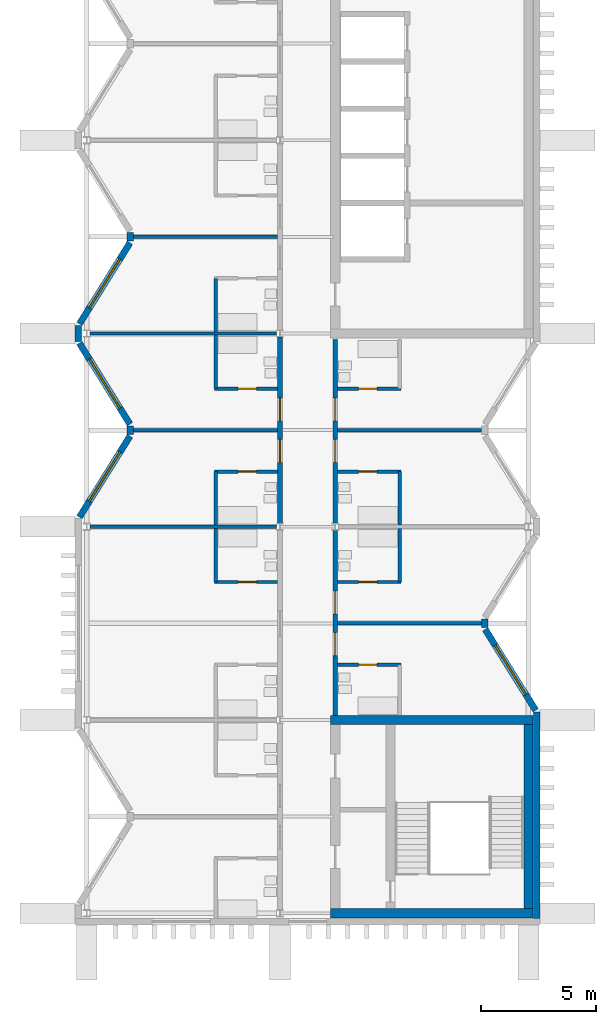
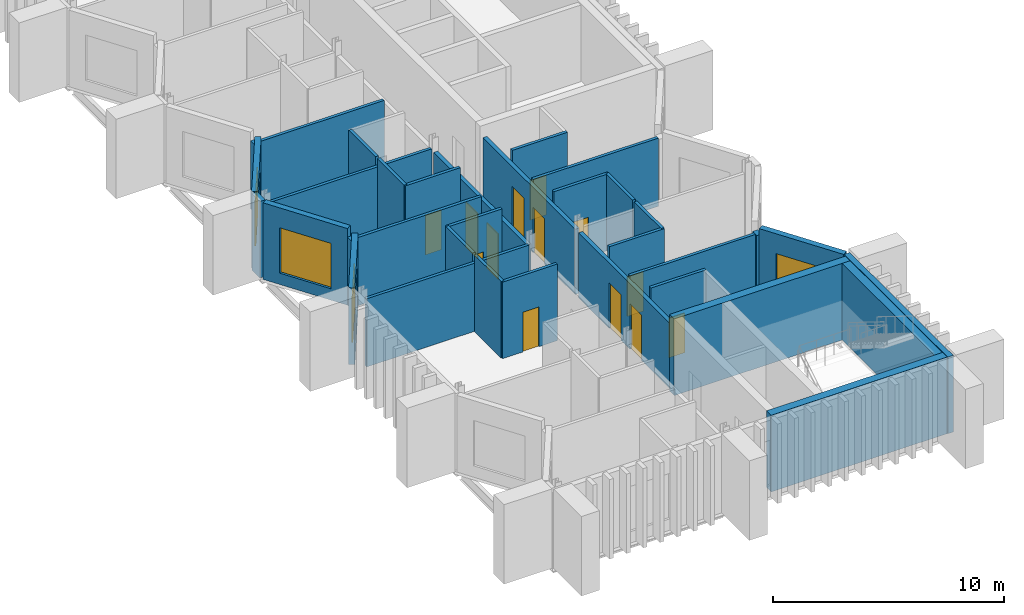
# One storey, part 5 of 10: 34 walls, 13 doors, 4 windows, 17 openings.
"""IFC4 building model written with IfcOpenShell, lengths in metres."""

import ifcopenshell
import ifcopenshell.guid

model = None  # the IFC model being written
_history = None  # IfcOwnerHistory: only IFC2X3 demands one
_inside = {}  # id of a spatial element -> (the spatial element, [elements in it])
_under = {}  # id of a project, library or spatial element -> (it, [spatial elements below it])
_declared = {}  # id of a project -> (the project, [libraries it declares])
_typed = {}  # id of a type object -> (the type object, [elements of that type])
_made_of = {}  # id of a material, layer set ... -> (it, [elements and type objects made of it])


def new_model(schema):
    """Start an empty IFC model of exactly this schema.

    Asked for "IFC4X3", IfcOpenShell would pick the latest addendum, in which some entities
    have other attributes; the version numbers below select the first issue.
    IFC2X3 requires an IfcOwnerHistory on every rooted entity: one is made here for all.
    """
    global model, _history
    if schema == "IFC4X3":
        model = ifcopenshell.file(schema_version=(4, 3, 0, 0))
    else:
        model = ifcopenshell.file(schema=schema)
    _inside.clear()
    _under.clear()
    _declared.clear()
    _typed.clear()
    _made_of.clear()
    _history = None
    if model.schema == "IFC2X3":
        org = make("IfcOrganization", Name="unknown")
        user = make(
            "IfcPersonAndOrganization",
            ThePerson=make("IfcPerson", FamilyName="unknown"),
            TheOrganization=org,
        )
        app = make(
            "IfcApplication",
            ApplicationDeveloper=org,
            Version="unknown",
            ApplicationFullName="unknown",
            ApplicationIdentifier="unknown",
        )
        _history = make(
            "IfcOwnerHistory",
            OwningUser=user,
            OwningApplication=app,
            ChangeAction="ADDED",
            CreationDate=0,
        )
    return model


def make(cls, **values):
    """One entity of the class cls with the attributes given. An attribute that is None is left unset."""
    return model.create_entity(
        cls, **{name: value for name, value in values.items() if value is not None}
    )


def rooted(cls, **values):
    """An entity with a GlobalId (a new one), such as an element, a storey or a relation."""
    return make(cls, GlobalId=ifcopenshell.guid.new(), OwnerHistory=_history, **values)


def si_unit(unit_type, name, prefix=None):
    """IfcSIUnit, for example si_unit("LENGTHUNIT", "METRE", prefix="MILLI")."""
    return make("IfcSIUnit", UnitType=unit_type, Prefix=prefix, Name=name)


def assignment(units):
    """IfcUnitAssignment: the units of a project."""
    return None if units is None else make("IfcUnitAssignment", Units=units)


def point(xyz):
    """IfcCartesianPoint."""
    return None if xyz is None else make("IfcCartesianPoint", Coordinates=xyz)


def direction(xyz):
    """IfcDirection."""
    return None if xyz is None else make("IfcDirection", DirectionRatios=xyz)


def frame(location, z_axis=None, x_axis=None):
    """IfcAxis2Placement3D, a coordinate frame: its origin and axes. An axis left out is left unset."""
    return make(
        "IfcAxis2Placement3D",
        Location=point(location),
        Axis=direction(z_axis),
        RefDirection=direction(x_axis),
    )


def frame_2d(location, x_axis=None):
    """IfcAxis2Placement2D, a coordinate frame in the plane: its origin and x axis."""
    return make(
        "IfcAxis2Placement2D", Location=point(location), RefDirection=direction(x_axis)
    )


def origin():
    """The frame at (0, 0, 0) with its axes left unset."""
    return frame((0.0, 0.0, 0.0))


def place(relative_to, where):
    """IfcLocalPlacement: puts the frame where relative to a parent placement (None: the world)."""
    return make(
        "IfcLocalPlacement", PlacementRelTo=relative_to, RelativePlacement=where
    )


def context(
    kind, dimensions, precision=None, world=None, true_north=None, identifier=None
):
    """IfcGeometricRepresentationContext, for example the 3D "Model" context."""
    return make(
        "IfcGeometricRepresentationContext",
        ContextIdentifier=identifier,
        ContextType=kind,
        CoordinateSpaceDimension=dimensions,
        Precision=precision,
        WorldCoordinateSystem=world,
        TrueNorth=true_north,
    )


def subcontext(parent, identifier, kind, view, scale=None):
    """IfcGeometricRepresentationSubContext, for example "Body" below "Model"."""
    return make(
        "IfcGeometricRepresentationSubContext",
        ContextIdentifier=identifier,
        ContextType=kind,
        ParentContext=parent,
        TargetScale=scale,
        TargetView=view,
    )


def project(units=None, contexts=None):
    """IfcProject with its units and contexts."""
    return rooted(
        "IfcProject",
        Name="project",
        RepresentationContexts=contexts,
        UnitsInContext=assignment(units),
    )


def spatial(cls, under=None, at=None, **own):
    """A site, building, storey or space (cls), placed at a placement, below another one or the project."""
    s = rooted(cls, ObjectPlacement=at, **own)
    if under is not None:
        _under.setdefault(under.id(), (under, []))[1].append(s)
    return s


def profile(cls, at=None, kind="AREA", **sizes):
    """A parametric profile (cls). Its sizes go by their IFC names, for example OverallWidth=200.0."""
    return make(cls, ProfileType=kind, Position=at, **sizes)


def rectangle(**sizes):
    """IfcRectangleProfileDef."""
    return profile("IfcRectangleProfileDef", **sizes)


def extrude(swept, where, along, depth):
    """IfcExtrudedAreaSolid: the profile swept, set in the frame where, extruded along a direction by depth."""
    return make(
        "IfcExtrudedAreaSolid",
        SweptArea=swept,
        Position=where,
        ExtrudedDirection=direction(along),
        Depth=depth,
    )


def shape(context_of_items, identifier, shape_type, items):
    """IfcShapeRepresentation: the items that make up one representation, for example the "Body"."""
    return make(
        "IfcShapeRepresentation",
        ContextOfItems=context_of_items,
        RepresentationIdentifier=identifier,
        RepresentationType=shape_type,
        Items=items,
    )


def material(Name=None, Category=None):
    """IfcMaterial."""
    return make("IfcMaterial", Name=Name, Category=Category)


def layer(
    of_material, thickness, ventilated=None, Name=None, Category=None, Priority=None
):
    """IfcMaterialLayer: one layer of a wall or slab, of a material (None: an air gap)."""
    return make(
        "IfcMaterialLayer",
        Material=of_material,
        LayerThickness=thickness,
        IsVentilated=ventilated,
        Name=Name,
        Category=Category,
        Priority=Priority,
    )


def layer_set(layers, Name=None):
    """IfcMaterialLayerSet."""
    return make("IfcMaterialLayerSet", MaterialLayers=layers, LayerSetName=Name)


def made_of(thing, what):
    """Note that an element or type object is made of a material, layer set ...; save() writes the relation."""
    if what is not None:
        _made_of.setdefault(what.id(), (what, []))[1].append(thing)
    return thing


def type_object(cls, material=None, **own):
    """A type object (cls), such as IfcWallType, which elements share."""
    return made_of(rooted(cls, **own), material)


def element(
    cls,
    number,
    at=None,
    inside=None,
    cuts=None,
    type_object=None,
    material=None,
    context=None,
    identifier="Body",
    shape_type=None,
    held_by="IfcProductDefinitionShape",
    body=None,
    shapes=None,
    **own,
):
    """One element of the class cls, such as IfcWall. Its Tag is "e" and its number.

    at: its placement. inside: the storey or other place that contains it. cuts: it is an
    opening in that element (IfcRelVoidsElement). A single representation is given by context,
    identifier, shape_type and body (its items); several are given by shapes. held_by: the class
    of the entity that holds the representations. save() writes the other relations.
    """
    e = rooted(cls, Tag="e%d" % number, ObjectPlacement=at, **own)
    if body is not None:
        shapes = [shape(context, identifier, shape_type, body)]
    if shapes is not None:
        e.Representation = make(held_by, Representations=shapes)
    if inside is not None:
        _inside.setdefault(inside.id(), (inside, []))[1].append(e)
    if cuts is not None:
        rooted(
            "IfcRelVoidsElement", RelatingBuildingElement=cuts, RelatedOpeningElement=e
        )
    if type_object is not None:
        _typed.setdefault(type_object.id(), (type_object, []))[1].append(e)
    return made_of(e, material)


def fill(opening, filler):
    """IfcRelFillsElement: the door or window that sits in an opening."""
    return rooted(
        "IfcRelFillsElement",
        RelatingOpeningElement=opening,
        RelatedBuildingElement=filler,
    )


def aggregate(whole, parts):
    """IfcRelAggregates: a whole, such as a stair, and the parts it consists of."""
    return rooted("IfcRelAggregates", RelatingObject=whole, RelatedObjects=parts)


def save(model, path):
    """Write the relations noted so far, then the file.

    IfcRelAggregates (storeys below a building ...), IfcRelContainedInSpatialStructure (elements
    in a storey), IfcRelDefinesByType, IfcRelAssociatesMaterial and IfcRelDeclares: one each for
    every whole, place, type object, material and project.
    """
    for whole, parts in _under.values():
        aggregate(whole, parts)
    for where, things in _inside.values():
        rooted(
            "IfcRelContainedInSpatialStructure",
            RelatedElements=things,
            RelatingStructure=where,
        )
    for kind, things in _typed.values():
        rooted("IfcRelDefinesByType", RelatedObjects=things, RelatingType=kind)
    for what, things in _made_of.values():
        rooted("IfcRelAssociatesMaterial", RelatedObjects=things, RelatingMaterial=what)
    for by, libraries in _declared.values():
        rooted("IfcRelDeclares", RelatingContext=by, RelatedDefinitions=libraries)
    model.write(path)


model = new_model("IFC4")

# Units and contexts
model_context = context("Model", 3, precision=1e-05, world=origin(), true_north=direction((0.0, 1.0)))
body_context = subcontext(model_context, "Body", "Model", "MODEL_VIEW")
ifc_project = project(units=[si_unit("LENGTHUNIT", "METRE"), si_unit("AREAUNIT", "SQUARE_METRE"), si_unit("VOLUMEUNIT", "CUBIC_METRE"), si_unit("PLANEANGLEUNIT", "RADIAN"), si_unit("MASSUNIT", "GRAM", prefix="KILO")], contexts=[model_context])

# Site, building, storey
site_placement = place(None, origin())
site = spatial("IfcSite", under=ifc_project, at=site_placement, CompositionType="ELEMENT")
building_placement = place(site_placement, origin())
building = spatial("IfcBuilding", under=site, at=building_placement, Name="Cresset Court Congress Hotel", CompositionType="ELEMENT")
storey_placement = place(building_placement, frame((0.0, 0.0, 56.39990234375)))
storey = spatial("IfcBuildingStorey", under=building, at=storey_placement, Name="L13", CompositionType="ELEMENT", Elevation=56.39990234375)

# Wall, openings, doors
ifc_material_1 = material(Name="Gypsum board partition")
ifc_layer_1 = layer(ifc_material_1, 0.199951171875)
ifc_layer_set_1 = layer_set([ifc_layer_1], Name="Corridor wall 200")
wall_type_1 = type_object("IfcWallType", Name="Corridor wall 200", PredefinedType="PARTITIONING", material=ifc_layer_set_1)
wall_1_placement = place(storey_placement, frame((165.60009765625, 16.949951171875, 0.0), z_axis=(0.0, 0.0, 1.0), x_axis=(0.0, 1.0, 0.0)))
wall_1 = element("IfcWall", 1, at=wall_1_placement, inside=storey, type_object=wall_type_1, Name="A.wl.L13.066", PredefinedType="PARTITIONING", context=body_context, shape_type="SweptSolid", body=[
    extrude(rectangle(XDim=8.10009765625, YDim=0.199951171875, at=frame_2d((4.050048828125, 0.0))), origin(), (0.0, 0.0, 1.0), 3.4501953125),
])
opening_1_placement = place(wall_1_placement, frame((2.64990234375, 0.0, 0.0)))
opening_1 = element("IfcOpeningElement", 2, at=opening_1_placement, cuts=wall_1, Name="Opening DA-13-09", PredefinedType="OPENING", context=body_context, shape_type="SweptSolid", body=[
    extrude(rectangle(XDim=1.0, YDim=2.39990234375, at=frame_2d((0.5, 1.199951171875))), frame((0.0, 0.10986328125, 0.0), z_axis=(0.0, -1.0, 0.0), x_axis=(1.0, 0.0, 0.0)), (0.0, 0.0, 1.0), 0.219970703125),
])
opening_2_placement = place(wall_1_placement, frame((4.449951171875, 0.0, 0.0)))
opening_2 = element("IfcOpeningElement", 3, at=opening_2_placement, cuts=wall_1, Name="Opening DA-13-11", PredefinedType="OPENING", context=body_context, shape_type="SweptSolid", body=[
    extrude(rectangle(XDim=1.0, YDim=2.39990234375, at=frame_2d((0.5, 1.199951171875))), frame((0.0, 0.10986328125, 0.0), z_axis=(0.0, -1.0, 0.0), x_axis=(1.0, 0.0, 0.0)), (0.0, 0.0, 1.0), 0.219970703125),
])
ifc_material_2 = material(Name="timber", Category="wood")
door_type_1 = type_object("IfcDoorType", Name="Guest-room entry door 1000x2400 FD30S", OperationType="SINGLE_SWING_LEFT", PredefinedType="DOOR", material=ifc_material_2)
door_1_placement = place(opening_1_placement, origin())
door_1 = element("IfcDoor", 4, at=door_1_placement, inside=storey, type_object=door_type_1, Name="Door DA-13-09", OperationType="SINGLE_SWING_RIGHT", OverallHeight=2.39990234375, OverallWidth=1.0, PredefinedType="DOOR", context=body_context, shape_type="SweptSolid", body=[
    extrude(rectangle(XDim=1.0, YDim=2.39990234375, at=frame_2d((0.5, 1.199951171875))), frame((0.0, 0.02490234375, 0.0), z_axis=(0.0, -1.0, 0.0), x_axis=(1.0, 0.0, 0.0)), (0.0, 0.0, 1.0), 0.050048828125),
])
fill(opening_1, door_1)
door_2_placement = place(opening_2_placement, origin())
door_2 = element("IfcDoor", 5, at=door_2_placement, inside=storey, type_object=door_type_1, Name="Door DA-13-11", OperationType="SINGLE_SWING_LEFT", OverallHeight=2.39990234375, OverallWidth=1.0, PredefinedType="DOOR", context=body_context, shape_type="SweptSolid", body=[
    extrude(rectangle(XDim=1.0, YDim=2.39990234375, at=frame_2d((0.5, 1.199951171875))), frame((0.0, 0.02490234375, 0.0), z_axis=(0.0, -1.0, 0.0), x_axis=(1.0, 0.0, 0.0)), (0.0, 0.0, 1.0), 0.050048828125),
])
fill(opening_2, door_2)

wall_2_placement = place(storey_placement, frame((168.0, 8.60009765625, 0.0), z_axis=(0.0, 0.0, 1.0), x_axis=(0.0, 1.0, 0.0)))
wall_2 = element("IfcWall", 6, at=wall_2_placement, inside=storey, type_object=wall_type_1, Name="A.wl.L13.072", PredefinedType="PARTITIONING", context=body_context, shape_type="SweptSolid", body=[
    extrude(rectangle(XDim=8.0498046875, YDim=0.199951171875, at=frame_2d((4.02490234375, 0.0))), origin(), (0.0, 0.0, 1.0), 3.4501953125),
])
opening_3_placement = place(wall_2_placement, frame((2.60009765625, 0.0, 0.0)))
opening_3 = element("IfcOpeningElement", 7, at=opening_3_placement, cuts=wall_2, Name="Opening DA-13-30", PredefinedType="OPENING", context=body_context, shape_type="SweptSolid", body=[
    extrude(rectangle(XDim=1.0, YDim=2.39990234375, at=frame_2d((0.5, 1.199951171875))), frame((0.0, 0.10986328125, 0.0), z_axis=(0.0, -1.0, 0.0), x_axis=(1.0, 0.0, 0.0)), (0.0, 0.0, 1.0), 0.219970703125),
])
opening_4_placement = place(wall_2_placement, frame((4.39990234375, 0.0, 0.0)))
opening_4 = element("IfcOpeningElement", 8, at=opening_4_placement, cuts=wall_2, Name="Opening DA-13-32", PredefinedType="OPENING", context=body_context, shape_type="SweptSolid", body=[
    extrude(rectangle(XDim=1.0, YDim=2.39990234375, at=frame_2d((0.5, 1.199951171875))), frame((0.0, 0.10986328125, 0.0), z_axis=(0.0, -1.0, 0.0), x_axis=(1.0, 0.0, 0.0)), (0.0, 0.0, 1.0), 0.219970703125),
])
door_3_placement = place(opening_3_placement, origin())
door_3 = element("IfcDoor", 9, at=door_3_placement, inside=storey, type_object=door_type_1, Name="Door DA-13-30", OperationType="SINGLE_SWING_RIGHT", OverallHeight=2.39990234375, OverallWidth=1.0, PredefinedType="DOOR", context=body_context, shape_type="SweptSolid", body=[
    extrude(rectangle(XDim=1.0, YDim=2.39990234375, at=frame_2d((0.5, 1.199951171875))), frame((0.0, 0.02490234375, 0.0), z_axis=(0.0, -1.0, 0.0), x_axis=(1.0, 0.0, 0.0)), (0.0, 0.0, 1.0), 0.050048828125),
])
fill(opening_3, door_3)
door_4_placement = place(opening_4_placement, origin())
door_4 = element("IfcDoor", 10, at=door_4_placement, inside=storey, type_object=door_type_1, Name="Door DA-13-32", OperationType="SINGLE_SWING_LEFT", OverallHeight=2.39990234375, OverallWidth=1.0, PredefinedType="DOOR", context=body_context, shape_type="SweptSolid", body=[
    extrude(rectangle(XDim=1.0, YDim=2.39990234375, at=frame_2d((0.5, 1.199951171875))), frame((0.0, 0.02490234375, 0.0), z_axis=(0.0, -1.0, 0.0), x_axis=(1.0, 0.0, 0.0)), (0.0, 0.0, 1.0), 0.050048828125),
])
fill(opening_4, door_4)

wall_3_placement = place(storey_placement, frame((168.0, 16.949951171875, 0.0), z_axis=(0.0, 0.0, 1.0), x_axis=(0.0, 1.0, 0.0)))
wall_3 = element("IfcWall", 11, at=wall_3_placement, inside=storey, type_object=wall_type_1, Name="A.wl.L13.073", PredefinedType="PARTITIONING", context=body_context, shape_type="SweptSolid", body=[
    extrude(rectangle(XDim=8.0, YDim=0.199951171875, at=frame_2d((4.0, 0.0))), origin(), (0.0, 0.0, 1.0), 3.4501953125),
])
opening_5_placement = place(wall_3_placement, frame((2.64990234375, 0.0, 0.0)))
opening_5 = element("IfcOpeningElement", 12, at=opening_5_placement, cuts=wall_3, Name="Opening DA-13-34", PredefinedType="OPENING", context=body_context, shape_type="SweptSolid", body=[
    extrude(rectangle(XDim=1.0, YDim=2.39990234375, at=frame_2d((0.5, 1.199951171875))), frame((0.0, 0.10986328125, 0.0), z_axis=(0.0, -1.0, 0.0), x_axis=(1.0, 0.0, 0.0)), (0.0, 0.0, 1.0), 0.219970703125),
])
opening_6_placement = place(wall_3_placement, frame((4.449951171875, 0.0, 0.0)))
opening_6 = element("IfcOpeningElement", 13, at=opening_6_placement, cuts=wall_3, Name="Opening DA-13-36", PredefinedType="OPENING", context=body_context, shape_type="SweptSolid", body=[
    extrude(rectangle(XDim=1.0, YDim=2.39990234375, at=frame_2d((0.5, 1.199951171875))), frame((0.0, 0.10986328125, 0.0), z_axis=(0.0, -1.0, 0.0), x_axis=(1.0, 0.0, 0.0)), (0.0, 0.0, 1.0), 0.219970703125),
])
door_5_placement = place(opening_5_placement, origin())
door_5 = element("IfcDoor", 14, at=door_5_placement, inside=storey, type_object=door_type_1, Name="Door DA-13-34", OperationType="SINGLE_SWING_RIGHT", OverallHeight=2.39990234375, OverallWidth=1.0, PredefinedType="DOOR", context=body_context, shape_type="SweptSolid", body=[
    extrude(rectangle(XDim=1.0, YDim=2.39990234375, at=frame_2d((0.5, 1.199951171875))), frame((0.0, 0.02490234375, 0.0), z_axis=(0.0, -1.0, 0.0), x_axis=(1.0, 0.0, 0.0)), (0.0, 0.0, 1.0), 0.050048828125),
])
fill(opening_5, door_5)
door_6_placement = place(opening_6_placement, origin())
door_6 = element("IfcDoor", 15, at=door_6_placement, inside=storey, type_object=door_type_1, Name="Door DA-13-36", OperationType="SINGLE_SWING_LEFT", OverallHeight=2.39990234375, OverallWidth=1.0, PredefinedType="DOOR", context=body_context, shape_type="SweptSolid", body=[
    extrude(rectangle(XDim=1.0, YDim=2.39990234375, at=frame_2d((0.5, 1.199951171875))), frame((0.0, 0.02490234375, 0.0), z_axis=(0.0, -1.0, 0.0), x_axis=(1.0, 0.0, 0.0)), (0.0, 0.0, 1.0), 0.050048828125),
])
fill(opening_6, door_6)

# Wall
ifc_material_3 = material(Name="Gypsum board partition")
ifc_layer_2 = layer(ifc_material_3, 0.14990234375)
ifc_layer_set_2 = layer_set([ifc_layer_2], Name="En-suite wall 150")
wall_type_2 = type_object("IfcWallType", Name="En-suite wall 150", PredefinedType="PARTITIONING", material=ifc_layer_set_2)
wall_4_placement = place(storey_placement, frame((162.800048828125, 14.39990234375, 0.0), z_axis=(0.0, 0.0, 1.0), x_axis=(0.0, 1.0, 0.0)))
element("IfcWall", 16, at=wall_4_placement, inside=storey, type_object=wall_type_2, Name="A.wl.L13.007", PredefinedType="PARTITIONING", context=body_context, shape_type="SweptSolid", body=[
    extrude(rectangle(XDim=2.3251953125, YDim=0.14990234375, at=frame_2d((1.16259765625, 0.0))), origin(), (0.0, 0.0, 1.0), 4.050048828125),
])

# Wall, opening, door
wall_5_placement = place(storey_placement, frame((162.75, 14.39990234375, 0.0), z_axis=(0.0, 0.0, 1.0), x_axis=(1.0, 0.0, 0.0)))
wall_5 = element("IfcWall", 17, at=wall_5_placement, inside=storey, type_object=wall_type_2, Name="A.wl.L13.008", PredefinedType="PARTITIONING", context=body_context, shape_type="SweptSolid", body=[
    extrude(rectangle(XDim=2.75, YDim=0.14990234375, at=frame_2d((1.375, 0.0))), origin(), (0.0, 0.0, 1.0), 4.050048828125),
])
opening_7_placement = place(wall_5_placement, frame((1.030029296875, 0.0, 0.0)))
opening_7 = element("IfcOpeningElement", 18, at=opening_7_placement, cuts=wall_5, Name="Opening DA-13-06", PredefinedType="OPENING", context=body_context, shape_type="SweptSolid", body=[
    extrude(rectangle(XDim=0.800048828125, YDim=2.10009765625, at=frame_2d((0.39990234375, 1.050048828125))), frame((0.0, 0.0849609375, 0.0), z_axis=(0.0, -1.0, 0.0), x_axis=(1.0, 0.0, 0.0)), (0.0, 0.0, 1.0), 0.169921875),
])
ifc_material_4 = material(Name="timber", Category="wood")
door_type_2 = type_object("IfcDoorType", Name="En-suite door 800x2100", OperationType="SINGLE_SWING_LEFT", PredefinedType="DOOR", material=ifc_material_4)
door_7_placement = place(opening_7_placement, origin())
door_7 = element("IfcDoor", 19, at=door_7_placement, inside=storey, type_object=door_type_2, Name="Door DA-13-06", OperationType="SINGLE_SWING_LEFT", OverallHeight=2.10009765625, OverallWidth=0.800048828125, PredefinedType="DOOR", context=body_context, shape_type="SweptSolid", body=[
    extrude(rectangle(XDim=0.800048828125, YDim=2.10009765625, at=frame_2d((0.39990234375, 1.050048828125))), frame((0.0, 0.02490234375, 0.0), z_axis=(0.0, -1.0, 0.0), x_axis=(1.0, 0.0, 0.0)), (0.0, 0.0, 1.0), 0.050048828125),
])
fill(opening_7, door_7)

# Wall
wall_6_placement = place(storey_placement, frame((162.800048828125, 16.875, 0.0), z_axis=(0.0, 0.0, 1.0), x_axis=(0.0, 1.0, 0.0)))
element("IfcWall", 20, at=wall_6_placement, inside=storey, type_object=wall_type_2, Name="A.wl.L13.009", PredefinedType="PARTITIONING", context=body_context, shape_type="SweptSolid", body=[
    extrude(rectangle(XDim=2.324951171875, YDim=0.14990234375, at=frame_2d((1.16259765625, 0.0))), origin(), (0.0, 0.0, 1.0), 4.050048828125),
])

# Wall, opening, door
wall_7_placement = place(storey_placement, frame((162.75, 19.199951171875, 0.0), z_axis=(0.0, 0.0, 1.0), x_axis=(1.0, 0.0, 0.0)))
wall_7 = element("IfcWall", 21, at=wall_7_placement, inside=storey, type_object=wall_type_2, Name="A.wl.L13.010", PredefinedType="PARTITIONING", context=body_context, shape_type="SweptSolid", body=[
    extrude(rectangle(XDim=2.75, YDim=0.14990234375, at=frame_2d((1.375, 0.0))), origin(), (0.0, 0.0, 1.0), 4.050048828125),
])
opening_8_placement = place(wall_7_placement, frame((1.030029296875, 0.0, 0.0)))
opening_8 = element("IfcOpeningElement", 22, at=opening_8_placement, cuts=wall_7, Name="Opening DA-13-08", PredefinedType="OPENING", context=body_context, shape_type="SweptSolid", body=[
    extrude(rectangle(XDim=0.800048828125, YDim=2.10009765625, at=frame_2d((0.39990234375, 1.050048828125))), frame((0.0, 0.0849609375, 0.0), z_axis=(0.0, -1.0, 0.0), x_axis=(1.0, 0.0, 0.0)), (0.0, 0.0, 1.0), 0.169921875),
])
door_8_placement = place(opening_8_placement, origin())
door_8 = element("IfcDoor", 23, at=door_8_placement, inside=storey, type_object=door_type_2, Name="Door DA-13-08", OperationType="SINGLE_SWING_RIGHT", OverallHeight=2.10009765625, OverallWidth=0.800048828125, PredefinedType="DOOR", context=body_context, shape_type="SweptSolid", body=[
    extrude(rectangle(XDim=0.800048828125, YDim=2.10009765625, at=frame_2d((0.39990234375, 1.050048828125))), frame((0.0, 0.02490234375, 0.0), z_axis=(0.0, -1.0, 0.0), x_axis=(1.0, 0.0, 0.0)), (0.0, 0.0, 1.0), 0.050048828125),
])
fill(opening_8, door_8)

# Wall
wall_8_placement = place(storey_placement, frame((162.800048828125, 22.800048828125, 0.0), z_axis=(0.0, 0.0, 1.0), x_axis=(0.0, 1.0, 0.0)))
element("IfcWall", 24, at=wall_8_placement, inside=storey, type_object=wall_type_2, Name="A.wl.L13.011", PredefinedType="PARTITIONING", context=body_context, shape_type="SweptSolid", body=[
    extrude(rectangle(XDim=2.324951171875, YDim=0.14990234375, at=frame_2d((1.16259765625, 0.0))), origin(), (0.0, 0.0, 1.0), 4.050048828125),
])

# Wall, opening, door
wall_9_placement = place(storey_placement, frame((162.75, 22.800048828125, 0.0), z_axis=(0.0, 0.0, 1.0), x_axis=(1.0, 0.0, 0.0)))
wall_9 = element("IfcWall", 25, at=wall_9_placement, inside=storey, type_object=wall_type_2, Name="A.wl.L13.012", PredefinedType="PARTITIONING", context=body_context, shape_type="SweptSolid", body=[
    extrude(rectangle(XDim=2.75, YDim=0.14990234375, at=frame_2d((1.375, 0.0))), origin(), (0.0, 0.0, 1.0), 4.050048828125),
])
opening_9_placement = place(wall_9_placement, frame((1.030029296875, 0.0, 0.0)))
opening_9 = element("IfcOpeningElement", 26, at=opening_9_placement, cuts=wall_9, Name="Opening DA-13-10", PredefinedType="OPENING", context=body_context, shape_type="SweptSolid", body=[
    extrude(rectangle(XDim=0.800048828125, YDim=2.10009765625, at=frame_2d((0.39990234375, 1.050048828125))), frame((0.0, 0.0849609375, 0.0), z_axis=(0.0, -1.0, 0.0), x_axis=(1.0, 0.0, 0.0)), (0.0, 0.0, 1.0), 0.169921875),
])
door_9_placement = place(opening_9_placement, origin())
door_9 = element("IfcDoor", 27, at=door_9_placement, inside=storey, type_object=door_type_2, Name="Door DA-13-10", OperationType="SINGLE_SWING_LEFT", OverallHeight=2.10009765625, OverallWidth=0.800048828125, PredefinedType="DOOR", context=body_context, shape_type="SweptSolid", body=[
    extrude(rectangle(XDim=0.800048828125, YDim=2.10009765625, at=frame_2d((0.39990234375, 1.050048828125))), frame((0.0, 0.02490234375, 0.0), z_axis=(0.0, -1.0, 0.0), x_axis=(1.0, 0.0, 0.0)), (0.0, 0.0, 1.0), 0.050048828125),
])
fill(opening_9, door_9)

# Wall
wall_10_placement = place(storey_placement, frame((162.800048828125, 25.27490234375, 0.0), z_axis=(0.0, 0.0, 1.0), x_axis=(0.0, 1.0, 0.0)))
element("IfcWall", 28, at=wall_10_placement, inside=storey, type_object=wall_type_2, Name="A.wl.L13.013", PredefinedType="PARTITIONING", context=body_context, shape_type="SweptSolid", body=[
    extrude(rectangle(XDim=2.3251953125, YDim=0.14990234375, at=frame_2d((1.16259765625, 0.0))), origin(), (0.0, 0.0, 1.0), 4.050048828125),
])

# Wall, opening, door
wall_11_placement = place(storey_placement, frame((170.85009765625, 10.800048828125, 0.0), z_axis=(0.0, 0.0, 1.0), x_axis=(-1.0, 0.0, 0.0)))
wall_11 = element("IfcWall", 29, at=wall_11_placement, inside=storey, type_object=wall_type_2, Name="A.wl.L13.034", PredefinedType="PARTITIONING", context=body_context, shape_type="SweptSolid", body=[
    extrude(rectangle(XDim=2.75, YDim=0.14990234375, at=frame_2d((1.375, 0.0))), origin(), (0.0, 0.0, 1.0), 4.050048828125),
])
opening_10_placement = place(wall_11_placement, frame((1.030029296875, 0.0, 0.0)))
opening_10 = element("IfcOpeningElement", 30, at=opening_10_placement, cuts=wall_11, Name="Opening DA-13-29", PredefinedType="OPENING", context=body_context, shape_type="SweptSolid", body=[
    extrude(rectangle(XDim=0.800048828125, YDim=2.10009765625, at=frame_2d((0.39990234375, 1.050048828125))), frame((0.0, 0.0849609375, 0.0), z_axis=(0.0, -1.0, 0.0), x_axis=(1.0, 0.0, 0.0)), (0.0, 0.0, 1.0), 0.169921875),
])
door_10_placement = place(opening_10_placement, origin())
door_10 = element("IfcDoor", 31, at=door_10_placement, inside=storey, type_object=door_type_2, Name="Door DA-13-29", OperationType="SINGLE_SWING_RIGHT", OverallHeight=2.10009765625, OverallWidth=0.800048828125, PredefinedType="DOOR", context=body_context, shape_type="SweptSolid", body=[
    extrude(rectangle(XDim=0.800048828125, YDim=2.10009765625, at=frame_2d((0.39990234375, 1.050048828125))), frame((0.0, 0.02490234375, 0.0), z_axis=(0.0, -1.0, 0.0), x_axis=(1.0, 0.0, 0.0)), (0.0, 0.0, 1.0), 0.050048828125),
])
fill(opening_10, door_10)

# Wall
wall_12_placement = place(storey_placement, frame((170.800048828125, 14.39990234375, 0.0), z_axis=(0.0, 0.0, 1.0), x_axis=(0.0, 1.0, 0.0)))
element("IfcWall", 32, at=wall_12_placement, inside=storey, type_object=wall_type_2, Name="A.wl.L13.035", PredefinedType="PARTITIONING", context=body_context, shape_type="SweptSolid", body=[
    extrude(rectangle(XDim=2.3251953125, YDim=0.14990234375, at=frame_2d((1.16259765625, 0.0))), origin(), (0.0, 0.0, 1.0), 4.050048828125),
])

# Wall, opening, door
wall_13_placement = place(storey_placement, frame((170.85009765625, 14.39990234375, 0.0), z_axis=(0.0, 0.0, 1.0), x_axis=(-1.0, 0.0, 0.0)))
wall_13 = element("IfcWall", 33, at=wall_13_placement, inside=storey, type_object=wall_type_2, Name="A.wl.L13.036", PredefinedType="PARTITIONING", context=body_context, shape_type="SweptSolid", body=[
    extrude(rectangle(XDim=2.75, YDim=0.14990234375, at=frame_2d((1.375, 0.0))), origin(), (0.0, 0.0, 1.0), 4.050048828125),
])
opening_11_placement = place(wall_13_placement, frame((1.030029296875, 0.0, 0.0)))
opening_11 = element("IfcOpeningElement", 34, at=opening_11_placement, cuts=wall_13, Name="Opening DA-13-31", PredefinedType="OPENING", context=body_context, shape_type="SweptSolid", body=[
    extrude(rectangle(XDim=0.800048828125, YDim=2.10009765625, at=frame_2d((0.39990234375, 1.050048828125))), frame((0.0, 0.0849609375, 0.0), z_axis=(0.0, -1.0, 0.0), x_axis=(1.0, 0.0, 0.0)), (0.0, 0.0, 1.0), 0.169921875),
])
door_11_placement = place(opening_11_placement, origin())
door_11 = element("IfcDoor", 35, at=door_11_placement, inside=storey, type_object=door_type_2, Name="Door DA-13-31", OperationType="SINGLE_SWING_LEFT", OverallHeight=2.10009765625, OverallWidth=0.800048828125, PredefinedType="DOOR", context=body_context, shape_type="SweptSolid", body=[
    extrude(rectangle(XDim=0.800048828125, YDim=2.10009765625, at=frame_2d((0.39990234375, 1.050048828125))), frame((0.0, 0.02490234375, 0.0), z_axis=(0.0, -1.0, 0.0), x_axis=(1.0, 0.0, 0.0)), (0.0, 0.0, 1.0), 0.050048828125),
])
fill(opening_11, door_11)

# Wall
wall_14_placement = place(storey_placement, frame((170.800048828125, 16.875, 0.0), z_axis=(0.0, 0.0, 1.0), x_axis=(0.0, 1.0, 0.0)))
element("IfcWall", 36, at=wall_14_placement, inside=storey, type_object=wall_type_2, Name="A.wl.L13.037", PredefinedType="PARTITIONING", context=body_context, shape_type="SweptSolid", body=[
    extrude(rectangle(XDim=2.324951171875, YDim=0.14990234375, at=frame_2d((1.16259765625, 0.0))), origin(), (0.0, 0.0, 1.0), 4.050048828125),
])

# Wall, opening, door
wall_15_placement = place(storey_placement, frame((170.85009765625, 19.199951171875, 0.0), z_axis=(0.0, 0.0, 1.0), x_axis=(-1.0, 0.0, 0.0)))
wall_15 = element("IfcWall", 37, at=wall_15_placement, inside=storey, type_object=wall_type_2, Name="A.wl.L13.038", PredefinedType="PARTITIONING", context=body_context, shape_type="SweptSolid", body=[
    extrude(rectangle(XDim=2.75, YDim=0.14990234375, at=frame_2d((1.375, 0.0))), origin(), (0.0, 0.0, 1.0), 4.050048828125),
])
opening_12_placement = place(wall_15_placement, frame((1.030029296875, 0.0, 0.0)))
opening_12 = element("IfcOpeningElement", 38, at=opening_12_placement, cuts=wall_15, Name="Opening DA-13-33", PredefinedType="OPENING", context=body_context, shape_type="SweptSolid", body=[
    extrude(rectangle(XDim=0.800048828125, YDim=2.10009765625, at=frame_2d((0.39990234375, 1.050048828125))), frame((0.0, 0.0849609375, 0.0), z_axis=(0.0, -1.0, 0.0), x_axis=(1.0, 0.0, 0.0)), (0.0, 0.0, 1.0), 0.169921875),
])
door_12_placement = place(opening_12_placement, origin())
door_12 = element("IfcDoor", 39, at=door_12_placement, inside=storey, type_object=door_type_2, Name="Door DA-13-33", OperationType="SINGLE_SWING_RIGHT", OverallHeight=2.10009765625, OverallWidth=0.800048828125, PredefinedType="DOOR", context=body_context, shape_type="SweptSolid", body=[
    extrude(rectangle(XDim=0.800048828125, YDim=2.10009765625, at=frame_2d((0.39990234375, 1.050048828125))), frame((0.0, 0.02490234375, 0.0), z_axis=(0.0, -1.0, 0.0), x_axis=(1.0, 0.0, 0.0)), (0.0, 0.0, 1.0), 0.050048828125),
])
fill(opening_12, door_12)

wall_16_placement = place(storey_placement, frame((170.85009765625, 22.800048828125, 0.0), z_axis=(0.0, 0.0, 1.0), x_axis=(-1.0, 0.0, 0.0)))
wall_16 = element("IfcWall", 40, at=wall_16_placement, inside=storey, type_object=wall_type_2, Name="A.wl.L13.040", PredefinedType="PARTITIONING", context=body_context, shape_type="SweptSolid", body=[
    extrude(rectangle(XDim=2.75, YDim=0.14990234375, at=frame_2d((1.375, 0.0))), origin(), (0.0, 0.0, 1.0), 4.050048828125),
])
opening_13_placement = place(wall_16_placement, frame((1.030029296875, 0.0, 0.0)))
opening_13 = element("IfcOpeningElement", 41, at=opening_13_placement, cuts=wall_16, Name="Opening DA-13-35", PredefinedType="OPENING", context=body_context, shape_type="SweptSolid", body=[
    extrude(rectangle(XDim=0.800048828125, YDim=2.10009765625, at=frame_2d((0.39990234375, 1.050048828125))), frame((0.0, 0.0849609375, 0.0), z_axis=(0.0, -1.0, 0.0), x_axis=(1.0, 0.0, 0.0)), (0.0, 0.0, 1.0), 0.169921875),
])
door_13_placement = place(opening_13_placement, origin())
door_13 = element("IfcDoor", 42, at=door_13_placement, inside=storey, type_object=door_type_2, Name="Door DA-13-35", OperationType="SINGLE_SWING_LEFT", OverallHeight=2.10009765625, OverallWidth=0.800048828125, PredefinedType="DOOR", context=body_context, shape_type="SweptSolid", body=[
    extrude(rectangle(XDim=0.800048828125, YDim=2.10009765625, at=frame_2d((0.39990234375, 1.050048828125))), frame((0.0, 0.02490234375, 0.0), z_axis=(0.0, -1.0, 0.0), x_axis=(1.0, 0.0, 0.0)), (0.0, 0.0, 1.0), 0.050048828125),
])
fill(opening_13, door_13)

# Wall, opening, window
ifc_material_5 = material(Name="Precast concrete C50", Category="concrete")
ifc_layer_3 = layer(ifc_material_5, 0.280029296875)
ifc_layer_set_3 = layer_set([ifc_layer_3], Name="External wall 280")
wall_type_3 = type_object("IfcWallType", Name="External wall 280", PredefinedType="SOLIDWALL", material=ifc_layer_set_3)
wall_17_placement = place(storey_placement, frame((156.88623046875, 17.22412109375, 0.0), z_axis=(0.0, 0.0, 1.0), x_axis=(0.529018946142, 0.848610013271, 0.0)))
wall_17 = element("IfcWall", 43, at=wall_17_placement, inside=storey, type_object=wall_type_3, Name="A.ew.L13.Wn.2.0", PredefinedType="SOLIDWALL", context=body_context, shape_type="SweptSolid", body=[
    extrude(rectangle(XDim=4.144287109375, YDim=0.280029296875, at=frame_2d((2.072265625, 0.0))), origin(), (0.0, 0.0, 1.0), 4.050048828125),
])
opening_14_placement = place(wall_17_placement, frame((0.812255859375, 0.0, 0.60009765625)))
opening_14 = element("IfcOpeningElement", 44, at=opening_14_placement, cuts=wall_17, Name="Opening NA-13-04", PredefinedType="OPENING", context=body_context, shape_type="SweptSolid", body=[
    extrude(rectangle(XDim=2.52001953125, YDim=2.39990234375, at=frame_2d((1.260009765625, 1.199951171875))), frame((0.0, 0.14990234375, 0.0), z_axis=(0.0, -1.0, 0.0), x_axis=(1.0, 0.0, 0.0)), (0.0, 0.0, 1.0), 0.300048828125),
])
ifc_material_6 = material(Name="Aluminium and glass", Category="aluminium")
window_type = type_object("IfcWindowType", Name="Window 2520x2400", PartitioningType="SINGLE_PANEL", PredefinedType="WINDOW", material=ifc_material_6)
window_1_placement = place(opening_14_placement, origin())
window_1 = element("IfcWindow", 45, at=window_1_placement, inside=storey, type_object=window_type, Name="Window NA-13-04", OverallHeight=2.39990234375, OverallWidth=2.52001953125, PartitioningType="SINGLE_PANEL", PredefinedType="WINDOW", context=body_context, shape_type="SweptSolid", body=[
    extrude(rectangle(XDim=2.52001953125, YDim=2.39990234375, at=frame_2d((1.260009765625, 1.199951171875))), frame((0.0, 0.030029296875, 0.0), z_axis=(0.0, -1.0, 0.0), x_axis=(1.0, 0.0, 0.0)), (0.0, 0.0, 1.0), 0.06005859375),
])
fill(opening_14, window_1)

wall_18_placement = place(storey_placement, frame((159.07861328125, 21.259033203125, 0.0), z_axis=(0.0, 0.0, 1.0), x_axis=(-0.529018946142, 0.848610013271, 0.0)))
wall_18 = element("IfcWall", 46, at=wall_18_placement, inside=storey, type_object=wall_type_3, Name="A.ew.L13.Wn.2.1", PredefinedType="SOLIDWALL", context=body_context, shape_type="SweptSolid", body=[
    extrude(rectangle(XDim=4.144287109375, YDim=0.280029296875, at=frame_2d((2.072265625, 0.0))), origin(), (0.0, 0.0, 1.0), 4.050048828125),
])
opening_15_placement = place(wall_18_placement, frame((0.812255859375, 0.0, 0.60009765625)))
opening_15 = element("IfcOpeningElement", 47, at=opening_15_placement, cuts=wall_18, Name="Opening NA-13-05", PredefinedType="OPENING", context=body_context, shape_type="SweptSolid", body=[
    extrude(rectangle(XDim=2.52001953125, YDim=2.39990234375, at=frame_2d((1.260009765625, 1.199951171875))), frame((0.0, 0.14990234375, 0.0), z_axis=(0.0, -1.0, 0.0), x_axis=(1.0, 0.0, 0.0)), (0.0, 0.0, 1.0), 0.300048828125),
])
window_2_placement = place(opening_15_placement, origin())
window_2 = element("IfcWindow", 48, at=window_2_placement, inside=storey, type_object=window_type, Name="Window NA-13-05", OverallHeight=2.39990234375, OverallWidth=2.52001953125, PartitioningType="SINGLE_PANEL", PredefinedType="WINDOW", context=body_context, shape_type="SweptSolid", body=[
    extrude(rectangle(XDim=2.52001953125, YDim=2.39990234375, at=frame_2d((1.260009765625, 1.199951171875))), frame((0.0, 0.030029296875, 0.0), z_axis=(0.0, -1.0, 0.0), x_axis=(1.0, 0.0, 0.0)), (0.0, 0.0, 1.0), 0.06005859375),
])
fill(opening_15, window_2)

# Walls
wall_19_placement = place(storey_placement, frame((159.099609375, 20.815185546875, 0.0), z_axis=(0.0, 0.0, 1.0), x_axis=(0.0, 1.0, 0.0)))
element("IfcWall", 49, at=wall_19_placement, inside=storey, type_object=wall_type_3, Name="A.ew.L13.Wn.2.2", PredefinedType="SOLIDWALL", context=body_context, shape_type="SweptSolid", body=[
    extrude(rectangle(XDim=0.36962890625, YDim=0.280029296875, at=frame_2d((0.184814453125, 0.0))), origin(), (0.0, 0.0, 1.0), 3.60400390625),
])
wall_20_placement = place(storey_placement, frame((156.840087890625, 24.85009765625, 0.0), z_axis=(0.0, 0.0, 1.0), x_axis=(0.0, 1.0, 0.0)))
element("IfcWall", 50, at=wall_20_placement, inside=storey, type_object=wall_type_3, Name="A.ew.L13.W.3", PredefinedType="SOLIDWALL", context=body_context, shape_type="SweptSolid", body=[
    extrude(rectangle(XDim=0.699951171875, YDim=0.280029296875, at=frame_2d((0.35009765625, 0.0))), origin(), (0.0, 0.0, 1.0), 4.050048828125),
])

# Wall, opening, window
wall_21_placement = place(storey_placement, frame((156.88623046875, 25.6240234375, 0.0), z_axis=(0.0, 0.0, 1.0), x_axis=(0.528992500338, 0.848626498871, 0.0)))
wall_21 = element("IfcWall", 51, at=wall_21_placement, inside=storey, type_object=wall_type_3, Name="A.ew.L13.Wn.3.0", PredefinedType="SOLIDWALL", context=body_context, shape_type="SweptSolid", body=[
    extrude(rectangle(XDim=4.14453125, YDim=0.280029296875, at=frame_2d((2.072265625, 0.0))), origin(), (0.0, 0.0, 1.0), 4.050048828125),
])
opening_16_placement = place(wall_21_placement, frame((0.812255859375, 0.0, 0.60009765625)))
opening_16 = element("IfcOpeningElement", 52, at=opening_16_placement, cuts=wall_21, Name="Opening NA-13-06", PredefinedType="OPENING", context=body_context, shape_type="SweptSolid", body=[
    extrude(rectangle(XDim=2.52001953125, YDim=2.39990234375, at=frame_2d((1.260009765625, 1.199951171875))), frame((0.0, 0.14990234375, 0.0), z_axis=(0.0, -1.0, 0.0), x_axis=(1.0, 0.0, 0.0)), (0.0, 0.0, 1.0), 0.300048828125),
])
window_3_placement = place(opening_16_placement, origin())
window_3 = element("IfcWindow", 53, at=window_3_placement, inside=storey, type_object=window_type, Name="Window NA-13-06", OverallHeight=2.39990234375, OverallWidth=2.52001953125, PartitioningType="SINGLE_PANEL", PredefinedType="WINDOW", context=body_context, shape_type="SweptSolid", body=[
    extrude(rectangle(XDim=2.52001953125, YDim=2.39990234375, at=frame_2d((1.260009765625, 1.199951171875))), frame((0.0, 0.030029296875, 0.0), z_axis=(0.0, -1.0, 0.0), x_axis=(1.0, 0.0, 0.0)), (0.0, 0.0, 1.0), 0.06005859375),
])
fill(opening_16, window_3)

# Walls
wall_22_placement = place(storey_placement, frame((159.099609375, 29.215087890625, 0.0), z_axis=(0.0, 0.0, 1.0), x_axis=(0.0, 1.0, 0.0)))
element("IfcWall", 54, at=wall_22_placement, inside=storey, type_object=wall_type_3, Name="A.ew.L13.Wn.3.2", PredefinedType="SOLIDWALL", context=body_context, shape_type="SweptSolid", body=[
    extrude(rectangle(XDim=0.369873046875, YDim=0.280029296875, at=frame_2d((0.18505859375, 0.0))), origin(), (0.0, 0.0, 1.0), 3.60400390625),
])
wall_23_placement = place(storey_placement, frame((176.760009765625, -0.219970703125, 0.0), z_axis=(0.0, 0.0, 1.0), x_axis=(0.0, 1.0, 0.0)))
element("IfcWall", 55, at=wall_23_placement, inside=storey, type_object=wall_type_3, Name="A.ew.L13.E.1", PredefinedType="SOLIDWALL", context=body_context, shape_type="SweptSolid", body=[
    extrude(rectangle(XDim=8.969970703125, YDim=0.280029296875, at=frame_2d((4.48486328125, 0.0))), origin(), (0.0, 0.0, 1.0), 4.050048828125),
])

# Wall, opening, window
wall_24_placement = place(storey_placement, frame((176.7138671875, 8.82421875, 0.0), z_axis=(0.0, 0.0, 1.0), x_axis=(-0.529018946142, 0.848610013271, 0.0)))
wall_24 = element("IfcWall", 56, at=wall_24_placement, inside=storey, type_object=wall_type_3, Name="A.ew.L13.En.1.0", PredefinedType="SOLIDWALL", context=body_context, shape_type="SweptSolid", body=[
    extrude(rectangle(XDim=4.144287109375, YDim=0.280029296875, at=frame_2d((2.072265625, 0.0))), origin(), (0.0, 0.0, 1.0), 4.050048828125),
])
opening_17_placement = place(wall_24_placement, frame((0.81201171875, 0.0, 0.60009765625)))
opening_17 = element("IfcOpeningElement", 57, at=opening_17_placement, cuts=wall_24, Name="Opening NA-13-13", PredefinedType="OPENING", context=body_context, shape_type="SweptSolid", body=[
    extrude(rectangle(XDim=2.52001953125, YDim=2.39990234375, at=frame_2d((1.260009765625, 1.199951171875))), frame((0.0, 0.14990234375, 0.0), z_axis=(0.0, -1.0, 0.0), x_axis=(1.0, 0.0, 0.0)), (0.0, 0.0, 1.0), 0.300048828125),
])
window_4_placement = place(opening_17_placement, origin())
window_4 = element("IfcWindow", 58, at=window_4_placement, inside=storey, type_object=window_type, Name="Window NA-13-13", OverallHeight=2.39990234375, OverallWidth=2.52001953125, PartitioningType="SINGLE_PANEL", PredefinedType="WINDOW", context=body_context, shape_type="SweptSolid", body=[
    extrude(rectangle(XDim=2.52001953125, YDim=2.39990234375, at=frame_2d((1.260009765625, 1.199951171875))), frame((0.0, 0.030029296875, 0.0), z_axis=(0.0, -1.0, 0.0), x_axis=(1.0, 0.0, 0.0)), (0.0, 0.0, 1.0), 0.06005859375),
])
fill(opening_17, window_4)

# Walls
wall_25_placement = place(storey_placement, frame((174.500244140625, 12.4150390625, 0.0), z_axis=(0.0, 0.0, 1.0), x_axis=(0.0, 1.0, 0.0)))
element("IfcWall", 59, at=wall_25_placement, inside=storey, type_object=wall_type_3, Name="A.ew.L13.En.1.2", PredefinedType="SOLIDWALL", context=body_context, shape_type="SweptSolid", body=[
    extrude(rectangle(XDim=0.369873046875, YDim=0.280029296875, at=frame_2d((0.18505859375, 0.0))), origin(), (0.0, 0.0, 1.0), 3.60400390625),
])
ifc_material_7 = material(Name="Gypsum board partition")
ifc_layer_4 = layer(ifc_material_7, 0.14990234375)
ifc_layer_set_4 = layer_set([ifc_layer_4], Name="Guest-room partition 150")
wall_type_4 = type_object("IfcWallType", Name="Guest-room partition 150", PredefinedType="PARTITIONING", material=ifc_layer_set_4)
for number, where, z_axis, x_axis, name in (
    (60, (157.35009765625, 16.800048828125, 0.0), (0.0, 0.0, 1.0), (1.0, 0.0, 0.0), "A.wl.L13.050"),
    (61, (157.35009765625, 25.199951171875, 0.0), (0.0, 0.0, 1.0), (1.0, 0.0, 0.0), "A.wl.L13.051"),
):
    element("IfcWall", number, at=place(storey_placement, frame(where, z_axis=z_axis, x_axis=x_axis)), inside=storey, type_object=wall_type_4, Name=name, PredefinedType="PARTITIONING", context=body_context, shape_type="SweptSolid", body=[
        extrude(rectangle(XDim=8.099853515625, YDim=0.14990234375, at=frame_2d((4.0498046875, 0.0))), origin(), (0.0, 0.0, 1.0), 3.60400390625),
    ])
for number, where, z_axis, x_axis, name in (
    (62, (159.23974609375, 21.0, 0.0), (0.0, 0.0, 1.0), (1.0, 0.0, 0.0), "A.wl.L13.059"),
    (63, (159.23974609375, 29.39990234375, 0.0), (0.0, 0.0, 1.0), (1.0, 0.0, 0.0), "A.wl.L13.060"),
    (64, (168.10009765625, 12.60009765625, 0.0), (0.0, 0.0, 1.0), (1.0, 0.0, 0.0), "A.wl.L13.062"),
    (65, (168.10009765625, 21.0, 0.0), (0.0, 0.0, 1.0), (1.0, 0.0, 0.0), "A.wl.L13.063"),
):
    element("IfcWall", number, at=place(storey_placement, frame(where, z_axis=z_axis, x_axis=x_axis)), inside=storey, type_object=wall_type_4, Name=name, PredefinedType="PARTITIONING", context=body_context, shape_type="SweptSolid", body=[
        extrude(rectangle(XDim=6.26025390625, YDim=0.14990234375, at=frame_2d((3.130126953125, 0.0))), origin(), (0.0, 0.0, 1.0), 3.60400390625),
    ])
ifc_material_8 = material(Name="Concrete C50", Category="concrete")
ifc_layer_5 = layer(ifc_material_8, 0.39990234375)
ifc_layer_set_5 = layer_set([ifc_layer_5], Name="Stair core wall 400")
wall_type_5 = type_object("IfcWallType", Name="Stair core wall 400", PredefinedType="SOLIDWALL", material=ifc_layer_set_5)
for number, where, z_axis, x_axis, name in (
    (66, (167.800048828125, 0.0, 0.0), (0.0, 0.0, 1.0), (1.0, 0.0, 0.0), "A.cw.ST-A1.L13.S"),
    (67, (167.800048828125, 8.39990234375, 0.0), (0.0, 0.0, 1.0), (1.0, 0.0, 0.0), "A.cw.ST-A1.L13.N"),
):
    element("IfcWall", number, at=place(storey_placement, frame(where, z_axis=z_axis, x_axis=x_axis)), inside=storey, type_object=wall_type_5, Name=name, PredefinedType="SOLIDWALL", context=body_context, shape_type="SweptSolid", body=[
        extrude(rectangle(XDim=8.800048828125, YDim=0.39990234375, at=frame_2d((4.39990234375, 0.0))), origin(), (0.0, 0.0, 1.0), 4.050048828125),
    ])
wall_26_placement = place(storey_placement, frame((176.39990234375, 0.199951171875, 0.0), z_axis=(0.0, 0.0, 1.0), x_axis=(0.0, 1.0, 0.0)))
element("IfcWall", 68, at=wall_26_placement, inside=storey, type_object=wall_type_5, Name="A.cw.ST-A1.L13.E", PredefinedType="SOLIDWALL", context=body_context, shape_type="SweptSolid", body=[
    extrude(rectangle(XDim=8.0, YDim=0.39990234375, at=frame_2d((4.0, 0.0))), origin(), (0.0, 0.0, 1.0), 4.050048828125),
])

save(model, "model.ifc")
